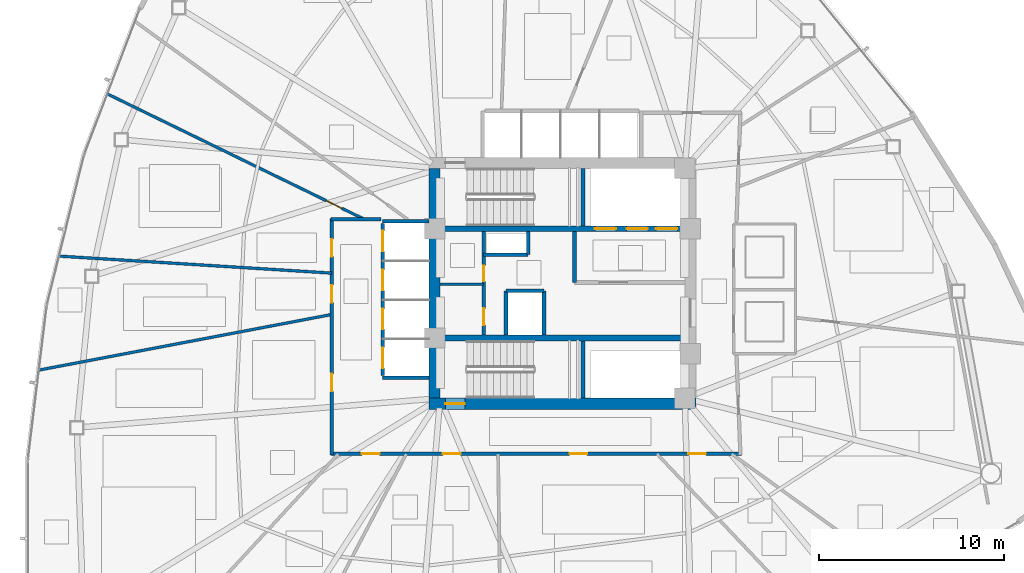
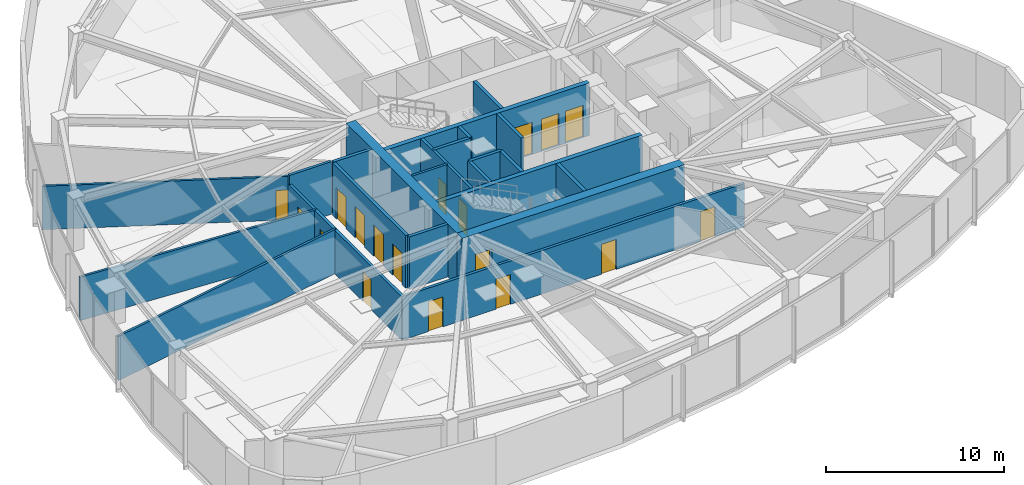
# One storey, part 11 of 17: 23 walls, 18 doors, 18 openings.
"""IFC4 building model written with IfcOpenShell, lengths in metres."""

from ifc_helpers import new_model, si_unit, direction, frame, frame_2d, origin, place, context, subcontext, project, spatial, rectangle, extrude, material, layer, layer_set, type_object, element, fill, save


model = new_model("IFC4")

# Units and contexts
model_context = context("Model", 3, precision=1e-05, world=origin(), true_north=direction((0.0, 1.0)))
body_context = subcontext(model_context, "Body", "Model", "MODEL_VIEW")
ifc_project = project(units=[si_unit("LENGTHUNIT", "METRE"), si_unit("AREAUNIT", "SQUARE_METRE"), si_unit("VOLUMEUNIT", "CUBIC_METRE"), si_unit("PLANEANGLEUNIT", "RADIAN"), si_unit("MASSUNIT", "GRAM", prefix="KILO")], contexts=[model_context])

# Site, building, storey
site_placement = place(None, origin())
site = spatial("IfcSite", under=ifc_project, at=site_placement, CompositionType="ELEMENT")
building_placement = place(site_placement, origin())
building = spatial("IfcBuilding", under=site, at=building_placement, Name="Tavelor Broadcast Tower", CompositionType="ELEMENT")
storey_placement = place(building_placement, frame((0.0, 0.0, 78.300048828125)))
storey = spatial("IfcBuildingStorey", under=building, at=storey_placement, Name="L18", CompositionType="ELEMENT", Elevation=78.300048828125)

# Wall, opening, door
ifc_material_1 = material(Name="Concrete C60/75", Category="concrete")
ifc_layer_1 = layer(ifc_material_1, 0.60009765625)
ifc_layer_set_1 = layer_set([ifc_layer_1], Name="Concrete C60/75")
wall_type_1 = type_object("IfcWallType", Name="Core Shear Wall 600 mm", PredefinedType="SHEAR", material=ifc_layer_set_1)
wall_1_placement = place(storey_placement, frame((42.800048828125, 38.5, 0.0), z_axis=(0.0, 0.0, 1.0), x_axis=(1.0, 0.0, 0.0)))
wall_1 = element("IfcWall", 1, at=wall_1_placement, inside=storey, type_object=wall_type_1, Name="L18 Central Core Shear Wall S", PredefinedType="SHEAR", context=body_context, shape_type="SweptSolid", body=[
    extrude(rectangle(XDim=14.39990234375, YDim=0.60009765625, at=frame_2d((7.199951171875, 0.0))), origin(), (0.0, 0.0, 1.0), 3.599853515625),
])
opening_1_placement = place(wall_1_placement, frame((0.8798828125, 0.0, 0.0)))
opening_1 = element("IfcOpeningElement", 2, at=opening_1_placement, cuts=wall_1, Name="Opening DR11", PredefinedType="OPENING", context=body_context, shape_type="SweptSolid", body=[
    extrude(rectangle(XDim=1.050048828125, YDim=2.199951171875, at=frame_2d((0.52490234375, 1.10009765625))), frame((0.0, 0.31005859375, 0.0), z_axis=(0.0, -1.0, 0.0), x_axis=(1.0, 0.0, 0.0)), (0.0, 0.0, 1.0), 0.6201171875),
])
ifc_material_2 = material(Name="Steel S355", Category="steel")
door_type_1 = type_object("IfcDoorType", Name="Stair Core Fire Escape Door 1050x2200", OperationType="NOTDEFINED", PredefinedType="DOOR", material=ifc_material_2)
door_1_placement = place(opening_1_placement, origin())
door_1 = element("IfcDoor", 3, at=door_1_placement, inside=storey, type_object=door_type_1, Name="L18 Stair ST2 Protected Exit Door", OperationType="SINGLE_SWING_RIGHT", OverallHeight=2.199951171875, OverallWidth=1.050048828125, PredefinedType="DOOR", context=body_context, shape_type="SweptSolid", body=[
    extrude(rectangle(XDim=1.050048828125, YDim=2.199951171875, at=frame_2d((0.52490234375, 1.10009765625))), frame((0.0, 0.02490234375, 0.0), z_axis=(0.0, -1.0, 0.0), x_axis=(1.0, 0.0, 0.0)), (0.0, 0.0, 1.0), 0.050048828125),
])
fill(opening_1, door_1)

# Wall
wall_2_placement = place(storey_placement, frame((43.10009765625, 38.800048828125, 0.0), z_axis=(0.0, 0.0, 1.0), x_axis=(0.0, 1.0, 0.0)))
element("IfcWall", 4, at=wall_2_placement, inside=storey, type_object=wall_type_1, Name="L18 Central Core Shear Wall W", PredefinedType="SHEAR", context=body_context, shape_type="SweptSolid", body=[
    extrude(rectangle(XDim=12.39990234375, YDim=0.60009765625, at=frame_2d((6.199951171875, 0.0))), origin(), (0.0, 0.0, 1.0), 3.599853515625),
])

# Wall, openings, doors
ifc_layer_2 = layer(ifc_material_1, 0.300048828125)
ifc_layer_set_2 = layer_set([ifc_layer_2], Name="Concrete C60/75")
wall_type_2 = type_object("IfcWallType", Name="Core Spine Shear Wall 300 mm C60", PredefinedType="SHEAR", material=ifc_layer_set_2)
wall_3_placement = place(storey_placement, frame((43.39990234375, 47.949951171875, 0.0), z_axis=(0.0, 0.0, 1.0), x_axis=(1.0, 0.0, 0.0)))
wall_3 = element("IfcWall", 5, at=wall_3_placement, inside=storey, type_object=wall_type_2, Name="L18 Central Core Shear Wall SP1", PredefinedType="SHEAR", context=body_context, shape_type="SweptSolid", body=[
    extrude(rectangle(XDim=13.2001953125, YDim=0.300048828125, at=frame_2d((6.60009765625, 0.0))), origin(), (0.0, 0.0, 1.0), 3.599853515625),
])
opening_2_placement = place(wall_3_placement, frame((8.344970703125, 0.0, 0.0)))
opening_2 = element("IfcOpeningElement", 6, at=opening_2_placement, cuts=wall_3, Name="Opening LD02", PredefinedType="OPENING", context=body_context, shape_type="SweptSolid", body=[
    extrude(rectangle(XDim=1.14990234375, YDim=2.199951171875, at=frame_2d((0.574951171875, 1.10009765625))), frame((0.0, 0.16015625, 0.0), z_axis=(0.0, -1.0, 0.0), x_axis=(1.0, 0.0, 0.0)), (0.0, 0.0, 1.0), 0.320068359375),
])
opening_3_placement = place(wall_3_placement, frame((10.06494140625, 0.0, 0.0)))
opening_3 = element("IfcOpeningElement", 7, at=opening_3_placement, cuts=wall_3, Name="Opening LD02", PredefinedType="OPENING", context=body_context, shape_type="SweptSolid", body=[
    extrude(rectangle(XDim=1.14990234375, YDim=2.199951171875, at=frame_2d((0.574951171875, 1.10009765625))), frame((0.0, 0.16015625, 0.0), z_axis=(0.0, -1.0, 0.0), x_axis=(1.0, 0.0, 0.0)), (0.0, 0.0, 1.0), 0.320068359375),
])
opening_4_placement = place(wall_3_placement, frame((11.64501953125, 0.0, 0.0)))
opening_4 = element("IfcOpeningElement", 8, at=opening_4_placement, cuts=wall_3, Name="Opening LD03", PredefinedType="OPENING", context=body_context, shape_type="SweptSolid", body=[
    extrude(rectangle(XDim=1.14990234375, YDim=2.199951171875, at=frame_2d((0.574951171875, 1.10009765625))), frame((0.0, 0.16015625, 0.0), z_axis=(0.0, -1.0, 0.0), x_axis=(1.0, 0.0, 0.0)), (0.0, 0.0, 1.0), 0.320068359375),
])
ifc_material_3 = material(Name="Reinforced Brushed Stainless Steel", Category="concrete")
door_type_2 = type_object("IfcDoorType", Name="Broadcast Goods Lift Sliding Landing Door 1250x2200", OperationType="NOTDEFINED", PredefinedType="DOOR", material=ifc_material_3)
door_2_placement = place(opening_4_placement, origin())
door_2 = element("IfcDoor", 9, at=door_2_placement, inside=storey, type_object=door_type_2, Name="L18 Lift SVL1 Sliding Landing Door", OperationType="SLIDING_TO_LEFT", OverallHeight=2.199951171875, OverallWidth=1.14990234375, PredefinedType="DOOR", context=body_context, shape_type="SweptSolid", body=[
    extrude(rectangle(XDim=1.14990234375, YDim=2.199951171875, at=frame_2d((0.574951171875, 1.10009765625))), frame((0.0, 0.02490234375, 0.0), z_axis=(0.0, -1.0, 0.0), x_axis=(1.0, 0.0, 0.0)), (0.0, 0.0, 1.0), 0.050048828125),
])
fill(opening_4, door_2)
ifc_material_4 = material(Name="Fire-Rated Stainless Steel", Category="steel")
door_type_3 = type_object("IfcDoorType", Name="Firefighting Lift Sliding Landing Door 1200x2200", OperationType="NOTDEFINED", PredefinedType="DOOR", material=ifc_material_4)
door_3_placement = place(opening_2_placement, origin())
door_3 = element("IfcDoor", 10, at=door_3_placement, inside=storey, type_object=door_type_3, Name="L18 Lift FFL1 Sliding Landing Door", OperationType="SLIDING_TO_LEFT", OverallHeight=2.199951171875, OverallWidth=1.14990234375, PredefinedType="DOOR", context=body_context, shape_type="SweptSolid", body=[
    extrude(rectangle(XDim=1.14990234375, YDim=2.199951171875, at=frame_2d((0.574951171875, 1.10009765625))), frame((0.0, 0.02490234375, 0.0), z_axis=(0.0, -1.0, 0.0), x_axis=(1.0, 0.0, 0.0)), (0.0, 0.0, 1.0), 0.050048828125),
])
fill(opening_2, door_3)
door_4_placement = place(opening_3_placement, origin())
door_4 = element("IfcDoor", 11, at=door_4_placement, inside=storey, type_object=door_type_3, Name="L18 Lift FFL2 Sliding Landing Door", OperationType="SLIDING_TO_LEFT", OverallHeight=2.199951171875, OverallWidth=1.14990234375, PredefinedType="DOOR", context=body_context, shape_type="SweptSolid", body=[
    extrude(rectangle(XDim=1.14990234375, YDim=2.199951171875, at=frame_2d((0.574951171875, 1.10009765625))), frame((0.0, 0.02490234375, 0.0), z_axis=(0.0, -1.0, 0.0), x_axis=(1.0, 0.0, 0.0)), (0.0, 0.0, 1.0), 0.050048828125),
])
fill(opening_3, door_4)

# Wall
wall_4_placement = place(storey_placement, frame((43.39990234375, 42.050048828125, 0.0), z_axis=(0.0, 0.0, 1.0), x_axis=(1.0, 0.0, 0.0)))
element("IfcWall", 12, at=wall_4_placement, inside=storey, type_object=wall_type_2, Name="L18 Central Core Shear Wall SP2", PredefinedType="SHEAR", context=body_context, shape_type="SweptSolid", body=[
    extrude(rectangle(XDim=13.2001953125, YDim=0.300048828125, at=frame_2d((6.60009765625, 0.0))), origin(), (0.0, 0.0, 1.0), 3.599853515625),
])

# Wall, openings, doors
ifc_material_5 = material(Name="Calcium Silicate Fire Board 180 mm", Category="gypsum")
ifc_layer_3 = layer(ifc_material_5, 0.179931640625)
ifc_layer_set_3 = layer_set([ifc_layer_3], Name="Calcium Silicate Fire Board 180 mm")
wall_type_3 = type_object("IfcWallType", Name="Fire-Rated Corridor Partition Wall 180 mm", PredefinedType="PARTITIONING", material=ifc_layer_set_3)
wall_5_placement = place(storey_placement, frame((45.75, 42.199951171875, 0.0), z_axis=(0.0, 0.0, 1.0), x_axis=(0.0, 1.0, 0.0)))
wall_5 = element("IfcWall", 13, at=wall_5_placement, inside=storey, type_object=wall_type_3, Name="L18 Core West Service East Wall", PredefinedType="PARTITIONING", context=body_context, shape_type="SweptSolid", body=[
    extrude(rectangle(XDim=5.60009765625, YDim=0.179931640625, at=frame_2d((2.800048828125, 0.0))), origin(), (0.0, 0.0, 1.0), 3.599853515625),
])
opening_5_placement = place(wall_5_placement, frame((0.550048828125, 0.0, 0.0)))
opening_5 = element("IfcOpeningElement", 14, at=opening_5_placement, cuts=wall_5, Name="Opening DR32", PredefinedType="OPENING", context=body_context, shape_type="SweptSolid", body=[
    extrude(rectangle(XDim=0.89990234375, YDim=2.050048828125, at=frame_2d((0.449951171875, 1.02490234375))), frame((0.0, 0.10009765625, 0.0), z_axis=(0.0, -1.0, 0.0), x_axis=(1.0, 0.0, 0.0)), (0.0, 0.0, 1.0), 0.199951171875),
])
opening_6_placement = place(wall_5_placement, frame((2.89990234375, 0.0, 0.0)))
opening_6 = element("IfcOpeningElement", 15, at=opening_6_placement, cuts=wall_5, Name="Opening DR36", PredefinedType="OPENING", context=body_context, shape_type="SweptSolid", body=[
    extrude(rectangle(XDim=0.85009765625, YDim=2.050048828125, at=frame_2d((0.425048828125, 1.02490234375))), frame((0.0, 0.10009765625, 0.0), z_axis=(0.0, -1.0, 0.0), x_axis=(1.0, 0.0, 0.0)), (0.0, 0.0, 1.0), 0.199951171875),
])
ifc_material_6 = material(Name="Timber Solid Core Hardwood", Category="wood")
door_type_4 = type_object("IfcDoorType", Name="Accessible Washroom Door 900x2050", OperationType="NOTDEFINED", PredefinedType="DOOR", material=ifc_material_6)
door_5_placement = place(opening_5_placement, origin())
door_5 = element("IfcDoor", 16, at=door_5_placement, inside=storey, type_object=door_type_4, Name="L18 Core Accessible WC Door", OperationType="SINGLE_SWING_LEFT", OverallHeight=2.050048828125, OverallWidth=0.89990234375, PredefinedType="DOOR", context=body_context, shape_type="SweptSolid", body=[
    extrude(rectangle(XDim=0.89990234375, YDim=2.050048828125, at=frame_2d((0.449951171875, 1.02490234375))), frame((0.0, 0.02490234375, 0.0), z_axis=(0.0, -1.0, 0.0), x_axis=(1.0, 0.0, 0.0)), (0.0, 0.0, 1.0), 0.050048828125),
])
fill(opening_5, door_5)
door_type_5 = type_object("IfcDoorType", Name="Service Room Fire Door 850x2050", OperationType="NOTDEFINED", PredefinedType="DOOR", material=ifc_material_2)
door_6_placement = place(opening_6_placement, origin())
door_6 = element("IfcDoor", 17, at=door_6_placement, inside=storey, type_object=door_type_5, Name="L18 Core Cleaner Store Door", OperationType="SINGLE_SWING_RIGHT", OverallHeight=2.050048828125, OverallWidth=0.85009765625, PredefinedType="DOOR", context=body_context, shape_type="SweptSolid", body=[
    extrude(rectangle(XDim=0.85009765625, YDim=2.050048828125, at=frame_2d((0.425048828125, 1.02490234375))), frame((0.0, 0.02490234375, 0.0), z_axis=(0.0, -1.0, 0.0), x_axis=(1.0, 0.0, 0.0)), (0.0, 0.0, 1.0), 0.050048828125),
])
fill(opening_6, door_6)

wall_6_placement = place(storey_placement, frame((59.64990234375, 35.800048828125, 0.0), z_axis=(0.0, 0.0, 1.0), x_axis=(-1.0, 0.0, 0.0)))
wall_6 = element("IfcWall", 18, at=wall_6_placement, inside=storey, type_object=wall_type_3, Name="L18 Corridor Compartment Wall 04", PredefinedType="PARTITIONING", context=body_context, shape_type="SweptSolid", body=[
    extrude(rectangle(XDim=22.14990234375, YDim=0.179931640625, at=frame_2d((11.074951171875, 0.0))), origin(), (0.0, 0.0, 1.0), 2.974853515625),
])
opening_7_placement = place(wall_6_placement, frame((1.9111328125, 0.0, 0.0)))
opening_7 = element("IfcOpeningElement", 19, at=opening_7_placement, cuts=wall_6, Name="Opening DR18", PredefinedType="OPENING", context=body_context, shape_type="SweptSolid", body=[
    extrude(rectangle(XDim=0.949951171875, YDim=2.050048828125, at=frame_2d((0.47509765625, 1.02490234375))), frame((0.0, 0.10009765625, 0.0), z_axis=(0.0, -1.0, 0.0), x_axis=(1.0, 0.0, 0.0)), (0.0, 0.0, 1.0), 0.199951171875),
])
opening_8_placement = place(wall_6_placement, frame((8.31396484375, 0.0, 0.0)))
opening_8 = element("IfcOpeningElement", 20, at=opening_8_placement, cuts=wall_6, Name="Opening DR18", PredefinedType="OPENING", context=body_context, shape_type="SweptSolid", body=[
    extrude(rectangle(XDim=0.949951171875, YDim=2.050048828125, at=frame_2d((0.47509765625, 1.02490234375))), frame((0.0, 0.10009765625, 0.0), z_axis=(0.0, -1.0, 0.0), x_axis=(1.0, 0.0, 0.0)), (0.0, 0.0, 1.0), 0.199951171875),
])
opening_9_placement = place(wall_6_placement, frame((15.14697265625, 0.0, 0.0)))
opening_9 = element("IfcOpeningElement", 21, at=opening_9_placement, cuts=wall_6, Name="Opening DR18", PredefinedType="OPENING", context=body_context, shape_type="SweptSolid", body=[
    extrude(rectangle(XDim=0.949951171875, YDim=2.050048828125, at=frame_2d((0.47509765625, 1.02490234375))), frame((0.0, 0.10009765625, 0.0), z_axis=(0.0, -1.0, 0.0), x_axis=(1.0, 0.0, 0.0)), (0.0, 0.0, 1.0), 0.199951171875),
])
opening_10_placement = place(wall_6_placement, frame((19.5166015625, 0.0, 0.0)))
opening_10 = element("IfcOpeningElement", 22, at=opening_10_placement, cuts=wall_6, Name="Opening DR18", PredefinedType="OPENING", context=body_context, shape_type="SweptSolid", body=[
    extrude(rectangle(XDim=0.949951171875, YDim=2.050048828125, at=frame_2d((0.47509765625, 1.02490234375))), frame((0.0, 0.10009765625, 0.0), z_axis=(0.0, -1.0, 0.0), x_axis=(1.0, 0.0, 0.0)), (0.0, 0.0, 1.0), 0.199951171875),
])
door_type_6 = type_object("IfcDoorType", Name="Corridor Rated Compartment Door 950x2050", OperationType="NOTDEFINED", PredefinedType="DOOR", material=ifc_material_6)
door_7_placement = place(opening_7_placement, origin())
door_7 = element("IfcDoor", 23, at=door_7_placement, inside=storey, type_object=door_type_6, Name="L18 Digital Publishing Workspace Door R0", OperationType="SINGLE_SWING_LEFT", OverallHeight=2.050048828125, OverallWidth=0.949951171875, PredefinedType="DOOR", context=body_context, shape_type="SweptSolid", body=[
    extrude(rectangle(XDim=0.949951171875, YDim=2.050048828125, at=frame_2d((0.47509765625, 1.02490234375))), frame((0.0, 0.02490234375, 0.0), z_axis=(0.0, -1.0, 0.0), x_axis=(1.0, 0.0, 0.0)), (0.0, 0.0, 1.0), 0.050048828125),
])
fill(opening_7, door_7)
door_8_placement = place(opening_8_placement, origin())
door_8 = element("IfcDoor", 24, at=door_8_placement, inside=storey, type_object=door_type_6, Name="L18 Broadcast Editorial Office Door R1", OperationType="SINGLE_SWING_RIGHT", OverallHeight=2.050048828125, OverallWidth=0.949951171875, PredefinedType="DOOR", context=body_context, shape_type="SweptSolid", body=[
    extrude(rectangle(XDim=0.949951171875, YDim=2.050048828125, at=frame_2d((0.47509765625, 1.02490234375))), frame((0.0, 0.02490234375, 0.0), z_axis=(0.0, -1.0, 0.0), x_axis=(1.0, 0.0, 0.0)), (0.0, 0.0, 1.0), 0.050048828125),
])
fill(opening_8, door_8)
door_9_placement = place(opening_9_placement, origin())
door_9 = element("IfcDoor", 25, at=door_9_placement, inside=storey, type_object=door_type_6, Name="L18 Investigative News Desk Door R2", OperationType="SINGLE_SWING_LEFT", OverallHeight=2.050048828125, OverallWidth=0.949951171875, PredefinedType="DOOR", context=body_context, shape_type="SweptSolid", body=[
    extrude(rectangle(XDim=0.949951171875, YDim=2.050048828125, at=frame_2d((0.47509765625, 1.02490234375))), frame((0.0, 0.02490234375, 0.0), z_axis=(0.0, -1.0, 0.0), x_axis=(1.0, 0.0, 0.0)), (0.0, 0.0, 1.0), 0.050048828125),
])
fill(opening_9, door_9)
door_10_placement = place(opening_10_placement, origin())
door_10 = element("IfcDoor", 26, at=door_10_placement, inside=storey, type_object=door_type_6, Name="L18 Syndication Legal Office Door R3", OperationType="SINGLE_SWING_RIGHT", OverallHeight=2.050048828125, OverallWidth=0.949951171875, PredefinedType="DOOR", context=body_context, shape_type="SweptSolid", body=[
    extrude(rectangle(XDim=0.949951171875, YDim=2.050048828125, at=frame_2d((0.47509765625, 1.02490234375))), frame((0.0, 0.02490234375, 0.0), z_axis=(0.0, -1.0, 0.0), x_axis=(1.0, 0.0, 0.0)), (0.0, 0.0, 1.0), 0.050048828125),
])
fill(opening_10, door_10)

wall_7_placement = place(storey_placement, frame((37.550048828125, 35.75, 0.0), z_axis=(0.0, 0.0, 1.0), x_axis=(0.0, 1.0, 0.0)))
wall_7 = element("IfcWall", 27, at=wall_7_placement, inside=storey, type_object=wall_type_3, Name="L18 Corridor Compartment Wall 05", PredefinedType="PARTITIONING", context=body_context, shape_type="SweptSolid", body=[
    extrude(rectangle(XDim=12.75, YDim=0.179931640625, at=frame_2d((6.375, 0.0))), origin(), (0.0, 0.0, 1.0), 2.974853515625),
])
opening_11_placement = place(wall_7_placement, frame((3.41650390625, 0.0, 0.0)))
opening_11 = element("IfcOpeningElement", 28, at=opening_11_placement, cuts=wall_7, Name="Opening DR18", PredefinedType="OPENING", context=body_context, shape_type="SweptSolid", body=[
    extrude(rectangle(XDim=0.949951171875, YDim=2.050048828125, at=frame_2d((0.47509765625, 1.02490234375))), frame((0.0, 0.10009765625, 0.0), z_axis=(0.0, -1.0, 0.0), x_axis=(1.0, 0.0, 0.0)), (0.0, 0.0, 1.0), 0.199951171875),
])
opening_12_placement = place(wall_7_placement, frame((8.204833984375, 0.0, 0.0)))
opening_12 = element("IfcOpeningElement", 29, at=opening_12_placement, cuts=wall_7, Name="Opening DR18", PredefinedType="OPENING", context=body_context, shape_type="SweptSolid", body=[
    extrude(rectangle(XDim=0.949951171875, YDim=2.050048828125, at=frame_2d((0.47509765625, 1.02490234375))), frame((0.0, 0.10009765625, 0.0), z_axis=(0.0, -1.0, 0.0), x_axis=(1.0, 0.0, 0.0)), (0.0, 0.0, 1.0), 0.199951171875),
])
opening_13_placement = place(wall_7_placement, frame((10.6865234375, 0.0, 0.0)))
opening_13 = element("IfcOpeningElement", 30, at=opening_13_placement, cuts=wall_7, Name="Opening DR18", PredefinedType="OPENING", context=body_context, shape_type="SweptSolid", body=[
    extrude(rectangle(XDim=0.949951171875, YDim=2.050048828125, at=frame_2d((0.47509765625, 1.02490234375))), frame((0.0, 0.10009765625, 0.0), z_axis=(0.0, -1.0, 0.0), x_axis=(1.0, 0.0, 0.0)), (0.0, 0.0, 1.0), 0.199951171875),
])
door_11_placement = place(opening_11_placement, origin())
door_11 = element("IfcDoor", 31, at=door_11_placement, inside=storey, type_object=door_type_6, Name="L18 International Bureau Office Door R4", OperationType="SINGLE_SWING_LEFT", OverallHeight=2.050048828125, OverallWidth=0.949951171875, PredefinedType="DOOR", context=body_context, shape_type="SweptSolid", body=[
    extrude(rectangle(XDim=0.949951171875, YDim=2.050048828125, at=frame_2d((0.47509765625, 1.02490234375))), frame((0.0, 0.02490234375, 0.0), z_axis=(0.0, -1.0, 0.0), x_axis=(1.0, 0.0, 0.0)), (0.0, 0.0, 1.0), 0.050048828125),
])
fill(opening_11, door_11)
door_12_placement = place(opening_12_placement, origin())
door_12 = element("IfcDoor", 32, at=door_12_placement, inside=storey, type_object=door_type_6, Name="L18 Documentary Planning Office Door R5", OperationType="SINGLE_SWING_RIGHT", OverallHeight=2.050048828125, OverallWidth=0.949951171875, PredefinedType="DOOR", context=body_context, shape_type="SweptSolid", body=[
    extrude(rectangle(XDim=0.949951171875, YDim=2.050048828125, at=frame_2d((0.47509765625, 1.02490234375))), frame((0.0, 0.02490234375, 0.0), z_axis=(0.0, -1.0, 0.0), x_axis=(1.0, 0.0, 0.0)), (0.0, 0.0, 1.0), 0.050048828125),
])
fill(opening_12, door_12)
door_13_placement = place(opening_13_placement, origin())
door_13 = element("IfcDoor", 33, at=door_13_placement, inside=storey, type_object=door_type_6, Name="L18 Digital Publishing Workspace Door R6", OperationType="SINGLE_SWING_LEFT", OverallHeight=2.050048828125, OverallWidth=0.949951171875, PredefinedType="DOOR", context=body_context, shape_type="SweptSolid", body=[
    extrude(rectangle(XDim=0.949951171875, YDim=2.050048828125, at=frame_2d((0.47509765625, 1.02490234375))), frame((0.0, 0.02490234375, 0.0), z_axis=(0.0, -1.0, 0.0), x_axis=(1.0, 0.0, 0.0)), (0.0, 0.0, 1.0), 0.050048828125),
])
fill(opening_13, door_13)

# Walls
wall_8_placement = place(storey_placement, frame((37.5, 48.449951171875, 0.0), z_axis=(0.0, 0.0, 1.0), x_axis=(1.0, 0.0, 0.0)))
element("IfcWall", 34, at=wall_8_placement, inside=storey, type_object=wall_type_3, Name="L18 Corridor Compartment Wall 06", PredefinedType="PARTITIONING", context=body_context, shape_type="SweptSolid", body=[
    extrude(rectangle(XDim=2.699951171875, YDim=0.179931640625, at=frame_2d((1.35009765625, 0.0))), origin(), (0.0, 0.0, 1.0), 3.599853515625),
])
ifc_material_7 = material(Name="Gypsum Acoustic Plasterboard 150 mm", Category="gypsum")
ifc_layer_4 = layer(ifc_material_7, 0.14990234375)
ifc_layer_set_4 = layer_set([ifc_layer_4], Name="Gypsum Acoustic Plasterboard 150 mm")
wall_type_4 = type_object("IfcWallType", Name="Interior Acoustic Partition Wall 150 mm", PredefinedType="PARTITIONING", material=ifc_layer_set_4)
wall_9_placement = place(storey_placement, frame((43.39990234375, 44.949951171875, 0.0), z_axis=(0.0, 0.0, 1.0), x_axis=(1.0, 0.0, 0.0)))
element("IfcWall", 35, at=wall_9_placement, inside=storey, type_object=wall_type_4, Name="L18 Core Split Wall A", PredefinedType="PARTITIONING", context=body_context, shape_type="SweptSolid", body=[
    extrude(rectangle(XDim=2.35009765625, YDim=0.14990234375, at=frame_2d((1.175048828125, 0.0))), origin(), (0.0, 0.0, 1.0), 3.599853515625),
])

# Wall, opening, door
wall_10_placement = place(storey_placement, frame((39.326416015625, 48.449951171875, 0.0), z_axis=(0.0, 0.0, 1.0), x_axis=(-0.898790760356, 0.438377883907, 0.0)))
wall_10 = element("IfcWall", 36, at=wall_10_placement, inside=storey, type_object=wall_type_4, Name="L18 Radial Compartment Wall 01", PredefinedType="PARTITIONING", context=body_context, shape_type="SweptSolid", body=[
    extrude(rectangle(XDim=15.4560546875, YDim=0.14990234375, at=frame_2d((7.72802734375, 0.0))), origin(), (0.0, 0.0, 1.0), 2.974853515625),
])
opening_14_placement = place(wall_10_placement, frame((1.35009765625, 0.0, 0.0)))
opening_14 = element("IfcOpeningElement", 37, at=opening_14_placement, cuts=wall_10, Name="Opening DR18", PredefinedType="OPENING", context=body_context, shape_type="SweptSolid", body=[
    extrude(rectangle(XDim=0.949951171875, YDim=2.050048828125, at=frame_2d((0.47509765625, 1.02490234375))), frame((0.0, 0.0849609375, 0.0), z_axis=(0.0, -1.0, 0.0), x_axis=(1.0, 0.0, 0.0)), (0.0, 0.0, 1.0), 0.169921875),
])
door_14_placement = place(opening_14_placement, origin())
door_14 = element("IfcDoor", 38, at=door_14_placement, inside=storey, type_object=door_type_6, Name="L18 Suite Connecting Door 7", OperationType="SINGLE_SWING_RIGHT", OverallHeight=2.050048828125, OverallWidth=0.949951171875, PredefinedType="DOOR", context=body_context, shape_type="SweptSolid", body=[
    extrude(rectangle(XDim=0.949951171875, YDim=2.050048828125, at=frame_2d((0.47509765625, 1.02490234375))), frame((0.0, 0.02490234375, 0.0), z_axis=(0.0, -1.0, 0.0), x_axis=(1.0, 0.0, 0.0)), (0.0, 0.0, 1.0), 0.050048828125),
])
fill(opening_14, door_14)

# Walls
wall_11_placement = place(storey_placement, frame((37.550048828125, 45.552001953125, 0.0), z_axis=(0.0, 0.0, 1.0), x_axis=(-0.99806062042, 0.062249481657, 0.0)))
element("IfcWall", 39, at=wall_11_placement, inside=storey, type_object=wall_type_4, Name="L18 Radial Compartment Wall 02", PredefinedType="PARTITIONING", context=body_context, shape_type="SweptSolid", body=[
    extrude(rectangle(XDim=14.75048828125, YDim=0.14990234375, at=frame_2d((7.375244140625, 0.0))), origin(), (0.0, 0.0, 1.0), 2.974853515625),
])
wall_12_placement = place(storey_placement, frame((37.550048828125, 43.3193359375, 0.0), z_axis=(0.0, 0.0, 1.0), x_axis=(-0.982437746544, -0.186590659376, 0.0)))
element("IfcWall", 40, at=wall_12_placement, inside=storey, type_object=wall_type_4, Name="L18 Radial Compartment Wall 03", PredefinedType="PARTITIONING", context=body_context, shape_type="SweptSolid", body=[
    extrude(rectangle(XDim=16.09375, YDim=0.14990234375, at=frame_2d((8.046875, 0.0))), origin(), (0.0, 0.0, 1.0), 3.02490234375),
])

# Wall, openings, doors
ifc_material_8 = material(Name="Concrete Blockwork 200 mm", Category="masonry")
ifc_layer_5 = layer(ifc_material_8, 0.199951171875)
ifc_layer_set_5 = layer_set([ifc_layer_5], Name="Concrete Blockwork 200 mm")
wall_type_5 = type_object("IfcWallType", Name="Lift Hoistway Rated Front Wall 200 mm", PredefinedType="PARTITIONING", material=ifc_layer_set_5)
wall_13_placement = place(storey_placement, frame((40.300048828125, 40.02001953125, 0.0), z_axis=(0.0, 0.0, 1.0), x_axis=(0.0, 1.0, 0.0)))
wall_13 = element("IfcWall", 41, at=wall_13_placement, inside=storey, type_object=wall_type_5, Name="L18 Low-Rise Lift Hoistway Front Wall", PredefinedType="PARTITIONING", context=body_context, shape_type="SweptSolid", body=[
    extrude(rectangle(XDim=8.2099609375, YDim=0.199951171875, at=frame_2d((4.10498046875, 0.0))), origin(), (0.0, 0.0, 1.0), 3.599853515625),
])
opening_15_placement = place(wall_13_placement, frame((0.405029296875, 0.0, 0.0)))
opening_15 = element("IfcOpeningElement", 42, at=opening_15_placement, cuts=wall_13, Name="Opening LD01", PredefinedType="OPENING", context=body_context, shape_type="SweptSolid", body=[
    extrude(rectangle(XDim=1.10009765625, YDim=2.14990234375, at=frame_2d((0.550048828125, 1.074951171875))), frame((0.0, 0.10986328125, 0.0), z_axis=(0.0, -1.0, 0.0), x_axis=(1.0, 0.0, 0.0)), (0.0, 0.0, 1.0), 0.219970703125),
])
opening_16_placement = place(wall_13_placement, frame((2.5048828125, 0.0, 0.0)))
opening_16 = element("IfcOpeningElement", 43, at=opening_16_placement, cuts=wall_13, Name="Opening LD01", PredefinedType="OPENING", context=body_context, shape_type="SweptSolid", body=[
    extrude(rectangle(XDim=1.10009765625, YDim=2.14990234375, at=frame_2d((0.550048828125, 1.074951171875))), frame((0.0, 0.10986328125, 0.0), z_axis=(0.0, -1.0, 0.0), x_axis=(1.0, 0.0, 0.0)), (0.0, 0.0, 1.0), 0.219970703125),
])
opening_17_placement = place(wall_13_placement, frame((4.60498046875, 0.0, 0.0)))
opening_17 = element("IfcOpeningElement", 44, at=opening_17_placement, cuts=wall_13, Name="Opening LD01", PredefinedType="OPENING", context=body_context, shape_type="SweptSolid", body=[
    extrude(rectangle(XDim=1.10009765625, YDim=2.14990234375, at=frame_2d((0.550048828125, 1.074951171875))), frame((0.0, 0.10986328125, 0.0), z_axis=(0.0, -1.0, 0.0), x_axis=(1.0, 0.0, 0.0)), (0.0, 0.0, 1.0), 0.219970703125),
])
opening_18_placement = place(wall_13_placement, frame((6.705078125, 0.0, 0.0)))
opening_18 = element("IfcOpeningElement", 45, at=opening_18_placement, cuts=wall_13, Name="Opening LD01", PredefinedType="OPENING", context=body_context, shape_type="SweptSolid", body=[
    extrude(rectangle(XDim=1.10009765625, YDim=2.14990234375, at=frame_2d((0.550048828125, 1.074951171875))), frame((0.0, 0.10986328125, 0.0), z_axis=(0.0, -1.0, 0.0), x_axis=(1.0, 0.0, 0.0)), (0.0, 0.0, 1.0), 0.219970703125),
])
ifc_material_9 = material(Name="Brushed Stainless Steel", Category="steel")
door_type_7 = type_object("IfcDoorType", Name="Passenger Lift Sliding Landing Door 1100x2150", OperationType="NOTDEFINED", PredefinedType="DOOR", material=ifc_material_9)
door_15_placement = place(opening_15_placement, origin())
door_15 = element("IfcDoor", 46, at=door_15_placement, inside=storey, type_object=door_type_7, Name="L18 Lift PLL1 Sliding Landing Door", OperationType="SLIDING_TO_LEFT", OverallHeight=2.14990234375, OverallWidth=1.10009765625, PredefinedType="DOOR", context=body_context, shape_type="SweptSolid", body=[
    extrude(rectangle(XDim=1.10009765625, YDim=2.14990234375, at=frame_2d((0.550048828125, 1.074951171875))), frame((0.0, 0.02490234375, 0.0), z_axis=(0.0, -1.0, 0.0), x_axis=(1.0, 0.0, 0.0)), (0.0, 0.0, 1.0), 0.050048828125),
])
fill(opening_15, door_15)
door_16_placement = place(opening_16_placement, origin())
door_16 = element("IfcDoor", 47, at=door_16_placement, inside=storey, type_object=door_type_7, Name="L18 Lift PLL2 Sliding Landing Door", OperationType="SLIDING_TO_RIGHT", OverallHeight=2.14990234375, OverallWidth=1.10009765625, PredefinedType="DOOR", context=body_context, shape_type="SweptSolid", body=[
    extrude(rectangle(XDim=1.10009765625, YDim=2.14990234375, at=frame_2d((0.550048828125, 1.074951171875))), frame((0.0, 0.02490234375, 0.0), z_axis=(0.0, -1.0, 0.0), x_axis=(1.0, 0.0, 0.0)), (0.0, 0.0, 1.0), 0.050048828125),
])
fill(opening_16, door_16)
door_17_placement = place(opening_17_placement, origin())
door_17 = element("IfcDoor", 48, at=door_17_placement, inside=storey, type_object=door_type_7, Name="L18 Lift PLL3 Sliding Landing Door", OperationType="SLIDING_TO_LEFT", OverallHeight=2.14990234375, OverallWidth=1.10009765625, PredefinedType="DOOR", context=body_context, shape_type="SweptSolid", body=[
    extrude(rectangle(XDim=1.10009765625, YDim=2.14990234375, at=frame_2d((0.550048828125, 1.074951171875))), frame((0.0, 0.02490234375, 0.0), z_axis=(0.0, -1.0, 0.0), x_axis=(1.0, 0.0, 0.0)), (0.0, 0.0, 1.0), 0.050048828125),
])
fill(opening_17, door_17)
door_18_placement = place(opening_18_placement, origin())
door_18 = element("IfcDoor", 49, at=door_18_placement, inside=storey, type_object=door_type_7, Name="L18 Lift PLL4 Sliding Landing Door", OperationType="SLIDING_TO_RIGHT", OverallHeight=2.14990234375, OverallWidth=1.10009765625, PredefinedType="DOOR", context=body_context, shape_type="SweptSolid", body=[
    extrude(rectangle(XDim=1.10009765625, YDim=2.14990234375, at=frame_2d((0.550048828125, 1.074951171875))), frame((0.0, 0.02490234375, 0.0), z_axis=(0.0, -1.0, 0.0), x_axis=(1.0, 0.0, 0.0)), (0.0, 0.0, 1.0), 0.050048828125),
])
fill(opening_18, door_18)

# Walls
wall_14_placement = place(storey_placement, frame((49.0, 42.199951171875, 0.0), z_axis=(0.0, 0.0, 1.0), x_axis=(0.0, 1.0, 0.0)))
element("IfcWall", 50, at=wall_14_placement, inside=storey, type_object=wall_type_5, Name="L18 Mid-Rise Lift PLM4 Hoistway Front Wall", PredefinedType="PARTITIONING", context=body_context, shape_type="SweptSolid", body=[
    extrude(rectangle(XDim=2.400146484375, YDim=0.199951171875, at=frame_2d((1.2001953125, 0.0))), origin(), (0.0, 0.0, 1.0), 3.599853515625),
])
ifc_layer_6 = layer(ifc_material_8, 0.199951171875)
ifc_layer_set_6 = layer_set([ifc_layer_6], Name="Concrete Blockwork 200 mm")
wall_type_6 = type_object("IfcWallType", Name="Lift and Riser Shaft Enclosure Wall 200 mm", PredefinedType="PARTITIONING", material=ifc_layer_set_6)
for number, where, z_axis, x_axis, name in (
    (51, (40.300048828125, 39.89990234375, 0.0), (0.0, 0.0, 1.0), (1.0, 0.0, 0.0), "L18 Low-Rise Lift Shaft South Wall"),
    (52, (40.300048828125, 48.35009765625, 0.0), (0.0, 0.0, 1.0), (1.0, 0.0, 0.0), "L18 Low-Rise Lift Shaft North Wall"),
):
    element("IfcWall", number, at=place(storey_placement, frame(where, z_axis=z_axis, x_axis=x_axis)), inside=storey, type_object=wall_type_6, Name=name, PredefinedType="PARTITIONING", context=body_context, shape_type="SweptSolid", body=[
        extrude(rectangle(XDim=2.5, YDim=0.199951171875, at=frame_2d((1.25, 0.0))), origin(), (0.0, 0.0, 1.0), 3.599853515625),
    ])
wall_15_placement = place(storey_placement, frame((45.75, 46.550048828125, 0.0), z_axis=(0.0, 0.0, 1.0), x_axis=(1.0, 0.0, 0.0)))
element("IfcWall", 53, at=wall_15_placement, inside=storey, type_object=wall_type_6, Name="L18 Riser Shaft South Wall", PredefinedType="PARTITIONING", context=body_context, shape_type="SweptSolid", body=[
    extrude(rectangle(XDim=2.39990234375, YDim=0.199951171875, at=frame_2d((1.199951171875, 0.0))), origin(), (0.0, 0.0, 1.0), 3.599853515625),
])
wall_16_placement = place(storey_placement, frame((48.14990234375, 46.550048828125, 0.0), z_axis=(0.0, 0.0, 1.0), x_axis=(0.0, 1.0, 0.0)))
element("IfcWall", 54, at=wall_16_placement, inside=storey, type_object=wall_type_6, Name="L18 Riser Shaft East Wall", PredefinedType="PARTITIONING", context=body_context, shape_type="SweptSolid", body=[
    extrude(rectangle(XDim=1.25, YDim=0.199951171875, at=frame_2d((0.625, 0.0))), origin(), (0.0, 0.0, 1.0), 3.599853515625),
])
wall_17_placement = place(storey_placement, frame((46.949951171875, 42.199951171875, 0.0), z_axis=(0.0, 0.0, 1.0), x_axis=(0.0, 1.0, 0.0)))
element("IfcWall", 55, at=wall_17_placement, inside=storey, type_object=wall_type_6, Name="L18 Mid-Rise Lift PLM4 West Wall", PredefinedType="PARTITIONING", context=body_context, shape_type="SweptSolid", body=[
    extrude(rectangle(XDim=2.400146484375, YDim=0.199951171875, at=frame_2d((1.2001953125, 0.0))), origin(), (0.0, 0.0, 1.0), 3.599853515625),
])
wall_18_placement = place(storey_placement, frame((46.949951171875, 44.60009765625, 0.0), z_axis=(0.0, 0.0, 1.0), x_axis=(1.0, 0.0, 0.0)))
element("IfcWall", 56, at=wall_18_placement, inside=storey, type_object=wall_type_6, Name="L18 Mid-Rise Lift PLM4 North Wall", PredefinedType="PARTITIONING", context=body_context, shape_type="SweptSolid", body=[
    extrude(rectangle(XDim=2.050048828125, YDim=0.199951171875, at=frame_2d((1.02490234375, 0.0))), origin(), (0.0, 0.0, 1.0), 3.599853515625),
])
wall_19_placement = place(storey_placement, frame((50.64990234375, 45.050048828125, 0.0), z_axis=(0.0, 0.0, 1.0), x_axis=(0.0, 1.0, 0.0)))
element("IfcWall", 57, at=wall_19_placement, inside=storey, type_object=wall_type_6, Name="L18 Firefighting Lobby West Wall", PredefinedType="PARTITIONING", context=body_context, shape_type="SweptSolid", body=[
    extrude(rectangle(XDim=2.75, YDim=0.199951171875, at=frame_2d((1.375, 0.0))), origin(), (0.0, 0.0, 1.0), 3.599853515625),
])
ifc_material_10 = material(Name="Concrete C40/50", Category="concrete")
ifc_layer_7 = layer(ifc_material_10, 0.219970703125)
ifc_layer_set_7 = layer_set([ifc_layer_7], Name="Concrete C40/50")
wall_type_7 = type_object("IfcWallType", Name="Structural Stairwell Shear Wall 220 mm", PredefinedType="SHEAR", material=ifc_layer_set_7)
for number, where, z_axis, x_axis, name in (
    (58, (51.110107421875, 48.10009765625, 0.0), (0.0, 0.0, 1.0), (0.0, 1.0, 0.0), "L18 Stair ST1 Structural Shaft Wall"),
    (59, (51.110107421875, 38.800048828125, 0.0), (0.0, 0.0, 1.0), (0.0, 1.0, 0.0), "L18 Stair ST2 Structural Shaft Wall"),
):
    element("IfcWall", number, at=place(storey_placement, frame(where, z_axis=z_axis, x_axis=x_axis)), inside=storey, type_object=wall_type_7, Name=name, PredefinedType="SHEAR", context=body_context, shape_type="SweptSolid", body=[
        extrude(rectangle(XDim=3.099853515625, YDim=0.219970703125, at=frame_2d((1.5498046875, 0.0))), origin(), (0.0, 0.0, 1.0), 3.599853515625),
    ])

save(model, "model.ifc")
